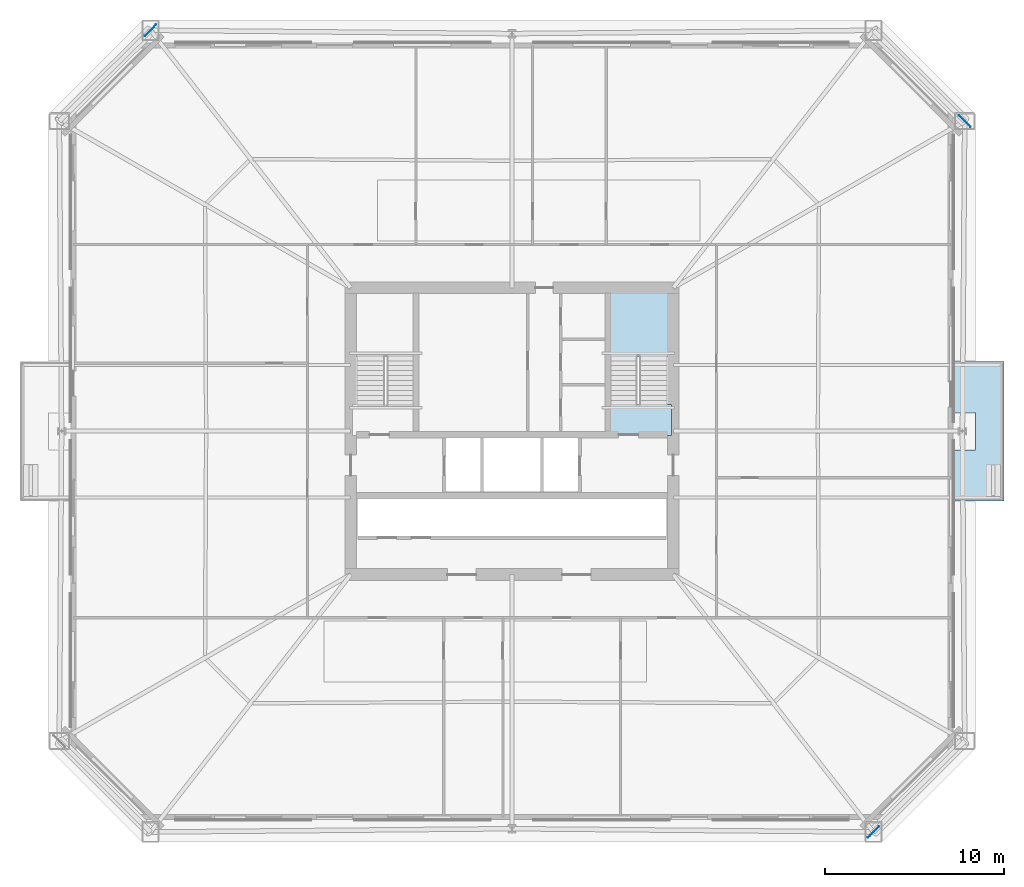
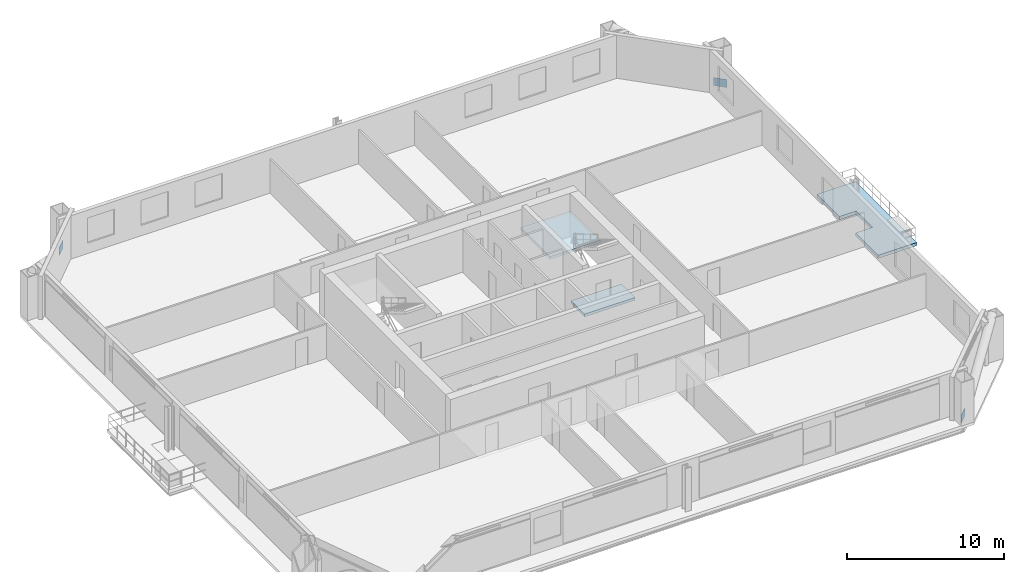
# One storey, part 4 of 11: 3 plates, 3 slabs, 1 element without a shape of its own.
"""IFC4 building model written with IfcOpenShell, lengths in metres."""

from ifc_helpers import new_model, si_unit, direction, frame, origin, origin_2d, place, context, subcontext, project, spatial, polyline, rectangle, outline, extrude, material, layer, layer_set, type_object, element, aggregate, save


model = new_model("IFC4")

# Units and contexts
model_context = context("Model", 3, precision=1e-05, world=origin(), true_north=direction((0.0, 1.0)))
body_context = subcontext(model_context, "Body", "Model", "MODEL_VIEW")
ifc_project = project(units=[si_unit("LENGTHUNIT", "METRE"), si_unit("AREAUNIT", "SQUARE_METRE"), si_unit("VOLUMEUNIT", "CUBIC_METRE"), si_unit("PLANEANGLEUNIT", "RADIAN"), si_unit("MASSUNIT", "GRAM", prefix="KILO")], contexts=[model_context])

# Site, building, storey
site_placement = place(None, origin())
site = spatial("IfcSite", under=ifc_project, at=site_placement, CompositionType="ELEMENT")
building_placement = place(site_placement, origin())
building = spatial("IfcBuilding", under=site, at=building_placement, Name="Caelvoria Tower", CompositionType="ELEMENT")
storey_placement = place(building_placement, frame((0.0, 0.0, 64.0)))
storey = spatial("IfcBuildingStorey", under=building, at=storey_placement, Name="L16", CompositionType="ELEMENT", Elevation=64.0)

# Plates
ifc_material_1 = material(Name="Structural Steel ASTM A572 Gr.50", Category="steel")
ifc_layer_1 = layer(ifc_material_1, 0.0400390625, Name="Structural Steel ASTM A572 Gr.50")
ifc_layer_set_1 = layer_set([ifc_layer_1], Name="Megaframe Node Gusset Plate 900x600x40 - Structural Steel ASTM A572 Gr.50")
plate_type = type_object("IfcPlateType", Name="Megaframe Node Gusset Plate 900x600x40", PredefinedType="USERDEFINED", material=ifc_layer_set_1)
for number, where, z_axis, x_axis, name in (
    (1, (66.167724609375, 9.634765625, 0.02001953125), (0.0, 0.0, 1.0), (0.70821909349, 0.705992716404, 0.0), "Chamfer Mega Brace Gusset L16 SE"),
    (2, (71.255859375, 49.293212890625, 0.02001953125), (0.0, 0.0, 1.0), (-0.70821909349, 0.705992716404, 0.0), "Chamfer Mega Brace Gusset L16 NE"),
    (3, (25.832275390625, 54.365234375, 0.02001953125), (0.0, 0.0, 1.0), (-0.70821909349, -0.705992716404, 0.0), "Chamfer Mega Brace Gusset L16 NW"),
):
    element("IfcPlate", number, at=place(storey_placement, frame(where, z_axis=z_axis, x_axis=x_axis)), inside=storey, type_object=plate_type, Name=name, ObjectType="GUSSET_PLATE", PredefinedType="USERDEFINED", context=body_context, shape_type="SweptSolid", body=[
        extrude(rectangle(XDim=0.89990234375, YDim=0.0400390625, at=origin_2d()), origin(), (0.0, 0.0, 1.0), 0.60009765625),
    ])

# Stair, slabs
ifc_material_2 = material(Name="Concrete C40/50", Category="concrete")
stair_type = type_object("IfcStairType", Name="Core Smokeproof Dogleg Stair Concrete C40/50", PredefinedType="HALF_TURN_STAIR", material=ifc_material_2)
stair_placement = place(storey_placement, origin())
stair = element("IfcStair", 4, at=stair_placement, inside=storey, type_object=stair_type, Name="ST-02 Smokeproof Exit Stair L16", PredefinedType="HALF_TURN_STAIR")
ifc_layer_2 = layer(ifc_material_2, 0.199951171875, Name="Concrete C40/50")
ifc_layer_set_2 = layer_set([ifc_layer_2], Name="Stair Half and Floor Landing Slab 200 Concrete C40/50 - Concrete C40/50")
slab_type_1 = type_object("IfcSlabType", Name="Stair Half and Floor Landing Slab 200 Concrete C40/50", PredefinedType="LANDING", material=ifc_layer_set_2)
slab_1_placement = place(storey_placement, frame((0.0, 0.0, -0.199951171875)))
slab_1 = element("IfcSlab", 5, at=slab_1_placement, type_object=slab_type_1, Name="ST-02 landing 1", PredefinedType="LANDING", context=body_context, shape_type="SweptSolid", body=[
    extrude(outline(polyline([(51.199951171875, 31.77001953125), (54.89990234375, 31.77001953125), (54.89990234375, 33.5), (51.199951171875, 33.5), (51.199951171875, 31.77001953125)])), origin(), (0.0, 0.0, 1.0), 0.199951171875),
])
slab_2_placement = place(storey_placement, frame((0.0, 0.0, 1.60009765625)))
slab_2 = element("IfcSlab", 6, at=slab_2_placement, type_object=slab_type_1, Name="ST-02 landing 2", PredefinedType="LANDING", context=body_context, shape_type="SweptSolid", body=[
    extrude(outline(polyline([(51.199951171875, 36.14990234375), (54.89990234375, 36.14990234375), (54.89990234375, 39.89990234375), (51.199951171875, 39.89990234375), (51.199951171875, 36.14990234375)])), origin(), (0.0, 0.0, 1.0), 0.199951171875),
])
aggregate(stair, [slab_1, slab_2])

# Slab
ifc_material_3 = material(Name="Concrete C45/55", Category="concrete")
ifc_layer_3 = layer(ifc_material_3, 0.25, Name="Concrete C45/55")
ifc_layer_set_3 = layer_set([ifc_layer_3], Name="Tree Balcony Structural Planter Slab 250 - Concrete C45/55")
slab_type_2 = type_object("IfcSlabType", Name="Tree Balcony Structural Planter Slab 250", PredefinedType="FLOOR", material=ifc_layer_set_3)
slab_3_placement = place(storey_placement, frame((0.0, 0.0, -0.25)))
element("IfcSlab", 7, at=slab_3_placement, inside=storey, type_object=slab_type_2, Name="Tree Balcony Slab TB-L16-E", PredefinedType="FLOOR", context=body_context, shape_type="SweptSolid", body=[
    extrude(outline(polyline([(71.85009765625, 35.89990234375), (70.610107421875, 35.89990234375), (70.610107421875, 33.0400390625), (71.85009765625, 33.0400390625), (71.85009765625, 30.9599609375), (70.610107421875, 30.9599609375), (70.610107421875, 28.10009765625), (71.85009765625, 28.10009765625), (73.449951171875, 28.10009765625), (73.449951171875, 35.89990234375), (71.85009765625, 35.89990234375)])), origin(), (0.0, 0.0, 1.0), 0.25),
])

save(model, "model.ifc")
